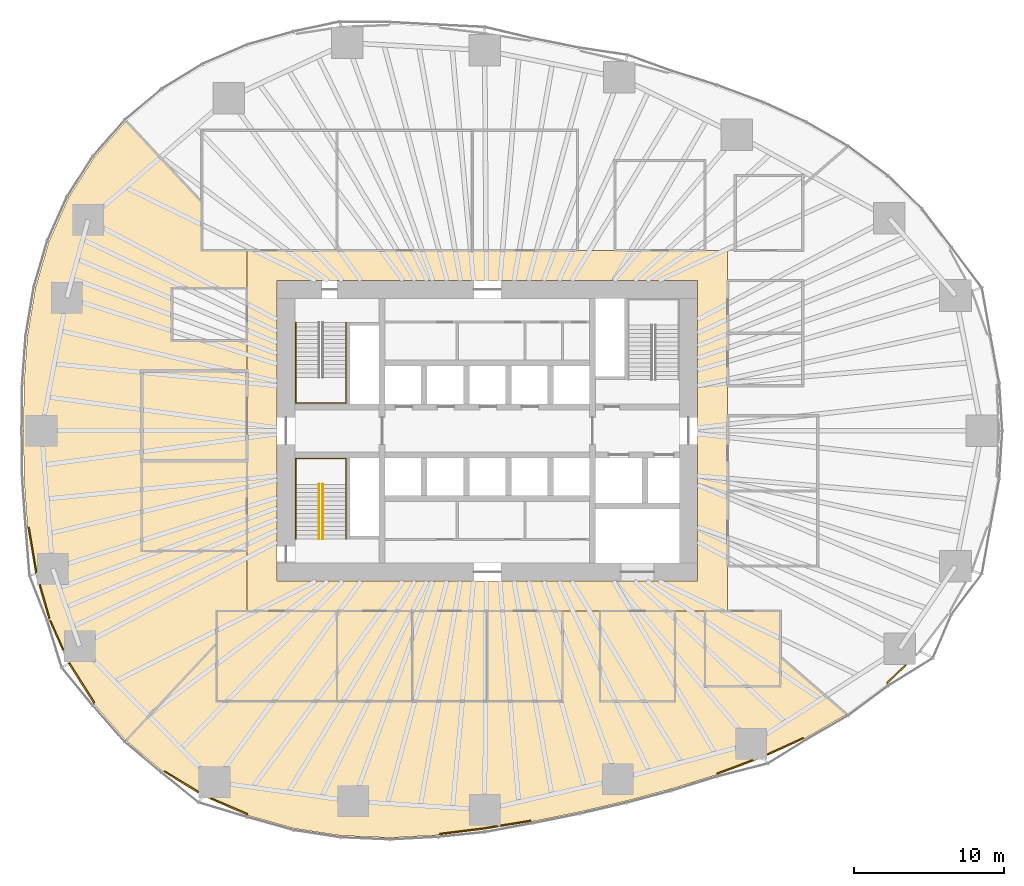
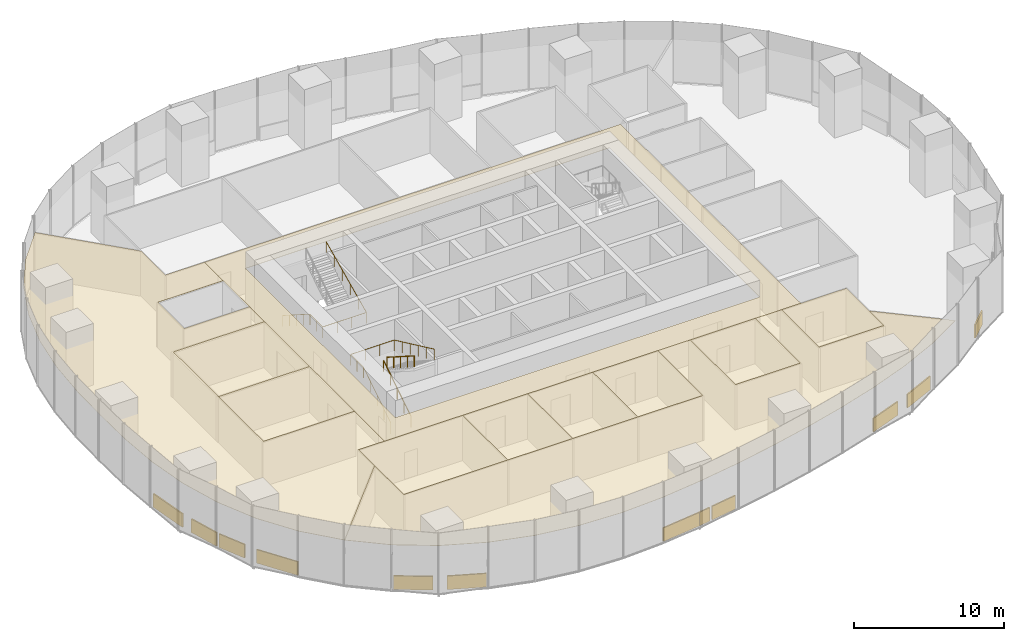
# One storey, part 17 of 20: 23 coverings, 4 railings.
"""IFC4 building model written with IfcOpenShell, lengths in metres."""

from ifc_helpers import new_model, si_unit, direction, frame, origin, origin_2d, place, context, subcontext, project, spatial, polyline, rectangle, circle, outline, extrude, material, layer, layer_set, type_object, element, save


model = new_model("IFC4")

# Units and contexts
model_context = context("Model", 3, precision=1e-05, world=origin(), true_north=direction((0.0, 1.0)))
body_context = subcontext(model_context, "Body", "Model", "MODEL_VIEW")
ifc_project = project(units=[si_unit("LENGTHUNIT", "METRE"), si_unit("AREAUNIT", "SQUARE_METRE"), si_unit("VOLUMEUNIT", "CUBIC_METRE"), si_unit("PLANEANGLEUNIT", "RADIAN"), si_unit("MASSUNIT", "GRAM", prefix="KILO")], contexts=[model_context])

# Site, building, storey
site_placement = place(None, origin())
site = spatial("IfcSite", under=ifc_project, at=site_placement, CompositionType="ELEMENT")
building_placement = place(site_placement, origin())
building = spatial("IfcBuilding", under=site, at=building_placement, Name="Ghaith Harvest Tower", CompositionType="ELEMENT")
storey_placement = place(building_placement, frame((0.0, 0.0, 25.0)))
storey = spatial("IfcBuildingStorey", under=building, at=storey_placement, Name="L05", CompositionType="ELEMENT", Elevation=25.0)

# Coverings
ifc_material_1 = material(Name="Mineral fibre ceiling tile", Category="gypsum")
ifc_layer_1 = layer(ifc_material_1, 0.02490234375)
ifc_layer_set_1 = layer_set([ifc_layer_1], Name="CEILING C2")
covering_type_1 = type_object("IfcCoveringType", Name="CEILING C2", PredefinedType="CEILING", material=ifc_layer_set_1)
covering_1_placement = place(storey_placement, frame((0.0, 0.0, 3.60009765625)))
element("IfcCovering", 1, at=covering_1_placement, inside=storey, type_object=covering_type_1, Name="Ceiling L05-05", PredefinedType="CEILING", context=body_context, shape_type="SweptSolid", body=[
    extrude(outline(polyline([(-18.0, -18.0), (-10.0, -18.0), (-10.0, -12.0), (-18.0, -12.0), (-18.0, -18.0)])), origin(), (0.0, 0.0, 1.0), 0.02490234375),
])
covering_2_placement = place(storey_placement, frame((0.0, 0.0, 3.60009765625)))
element("IfcCovering", 2, at=covering_2_placement, inside=storey, type_object=covering_type_1, Name="Ceiling L05-06", PredefinedType="CEILING", context=body_context, shape_type="SweptSolid", body=[
    extrude(outline(polyline([(-10.0, -18.0), (-5.0, -18.0), (-5.0, -12.0), (-10.0, -12.0), (-10.0, -18.0)])), origin(), (0.0, 0.0, 1.0), 0.02490234375),
])
covering_3_placement = place(storey_placement, frame((0.0, 0.0, 3.60009765625)))
element("IfcCovering", 3, at=covering_3_placement, inside=storey, type_object=covering_type_1, Name="Ceiling L05-07", PredefinedType="CEILING", context=body_context, shape_type="SweptSolid", body=[
    extrude(outline(polyline([(-5.0, -18.0), (0.0, -18.0), (0.0, -12.0), (-5.0, -12.0), (-5.0, -18.0)])), origin(), (0.0, 0.0, 1.0), 0.02490234375),
])
covering_4_placement = place(storey_placement, frame((0.0, 0.0, 3.60009765625)))
element("IfcCovering", 4, at=covering_4_placement, inside=storey, type_object=covering_type_1, Name="Ceiling L05-08", PredefinedType="CEILING", context=body_context, shape_type="SweptSolid", body=[
    extrude(outline(polyline([(0.0, -18.0), (5.0, -18.0), (5.0, -12.0), (0.0, -12.0), (0.0, -18.0)])), origin(), (0.0, 0.0, 1.0), 0.02490234375),
])
covering_5_placement = place(storey_placement, frame((0.0, 0.0, 3.60009765625)))
element("IfcCovering", 5, at=covering_5_placement, inside=storey, type_object=covering_type_1, Name="Ceiling L05-09", PredefinedType="CEILING", context=body_context, shape_type="SweptSolid", body=[
    extrude(outline(polyline([(7.5, -18.0), (12.5, -18.0), (12.5, -12.0), (7.5, -12.0), (7.5, -18.0)])), origin(), (0.0, 0.0, 1.0), 0.02490234375),
])
covering_6_placement = place(storey_placement, frame((0.0, 0.0, 3.60009765625)))
element("IfcCovering", 6, at=covering_6_placement, inside=storey, type_object=covering_type_1, Name="Ceiling L05-12", PredefinedType="CEILING", context=body_context, shape_type="SweptSolid", body=[
    extrude(outline(polyline([(-23.0, -8.0), (-16.0, -8.0), (-16.0, -2.0), (-23.0, -2.0), (-23.0, -8.0)])), origin(), (0.0, 0.0, 1.0), 0.02490234375),
])
covering_7_placement = place(storey_placement, frame((0.0, 0.0, 3.60009765625)))
element("IfcCovering", 7, at=covering_7_placement, inside=storey, type_object=covering_type_1, Name="Ceiling L05-13", PredefinedType="CEILING", context=body_context, shape_type="SweptSolid", body=[
    extrude(outline(polyline([(-23.0, -2.0), (-16.0, -2.0), (-16.0, 4.0), (-23.0, 4.0), (-23.0, -2.0)])), origin(), (0.0, 0.0, 1.0), 0.02490234375),
])
covering_8_placement = place(storey_placement, frame((0.0, 0.0, 3.60009765625)))
element("IfcCovering", 8, at=covering_8_placement, inside=storey, type_object=covering_type_1, Name="Ceiling L05-15", PredefinedType="CEILING", context=body_context, shape_type="SweptSolid", body=[
    extrude(outline(polyline([(14.5, -17.0), (19.5, -17.0), (19.5, -12.0), (14.5, -12.0), (14.5, -17.0)])), origin(), (0.0, 0.0, 1.0), 0.02490234375),
])
covering_9_placement = place(storey_placement, frame((0.0, 0.0, 3.60009765625)))
element("IfcCovering", 9, at=covering_9_placement, inside=storey, type_object=covering_type_1, Name="Ceiling L05-C1", PredefinedType="CEILING", context=body_context, shape_type="SweptSolid", body=[
    extrude(outline(polyline([(-16.0, 12.0), (16.0, 12.0), (16.0, -12.0), (-16.0, -12.0), (-16.0, 12.0)]), holes=[polyline([(14.0, -10.0), (14.0, 10.0), (-14.0, 10.0), (-14.0, -10.0), (14.0, -10.0)])]), origin(), (0.0, 0.0, 1.0), 0.02490234375),
])
covering_10_placement = place(storey_placement, frame((0.0, 0.0, 3.60009765625)))
element("IfcCovering", 10, at=covering_10_placement, inside=storey, type_object=covering_type_1, Name="Ceiling L05-S1", PredefinedType="CEILING", context=body_context, shape_type="SweptSolid", body=[
    extrude(outline(polyline([(-18.8935546875, -24.32763671875), (-21.59912109375, -22.671142578125), (-24.04833984375, -20.618408203125), (-18.0, -14.1416015625), (-18.0, -18.0), (5.0, -18.0), (5.0, -12.0), (7.5, -12.0), (7.5, -18.0), (12.5, -18.0), (12.5, -12.0), (14.5, -12.0), (14.5, -17.0), (19.5, -17.0), (19.5, -15.03564453125), (23.92431640625, -18.873046875), (21.149169921875, -20.469482421875), (18.34521484375, -21.7548828125), (15.22119140625, -22.916259765625), (12.1796875, -23.857666015625), (9.21533203125, -24.65087890625), (6.10888671875, -25.378662109375), (2.99560546875, -26.004150390625), (-0.181396484375, -26.527099609375), (-3.24755859375, -26.91064453125), (-6.4375, -27.0849609375), (-9.733642578125, -26.949951171875), (-12.828125, -26.476806640625), (-15.907958984375, -25.614501953125), (-18.8935546875, -24.32763671875)])), origin(), (0.0, 0.0, 1.0), 0.02490234375),
])
covering_11_placement = place(storey_placement, frame((0.0, 0.0, 3.60009765625)))
element("IfcCovering", 11, at=covering_11_placement, inside=storey, type_object=covering_type_1, Name="Ceiling L05-W1", PredefinedType="CEILING", context=body_context, shape_type="SweptSolid", body=[
    extrude(outline(polyline([(-26.16455078125, -18.20556640625), (-27.881591796875, -15.507080078125), (-29.182373046875, -12.587890625), (-30.073974609375, -9.531005859375), (-30.606689453125, -6.35107421875), (-30.837158203125, -3.165771484375), (-30.875, 0.0), (-30.837158203125, 3.165771484375), (-30.606689453125, 6.35107421875), (-30.073974609375, 9.531005859375), (-29.182373046875, 12.587890625), (-27.881591796875, 15.507080078125), (-26.16455078125, 18.20556640625), (-24.04833984375, 20.618408203125), (-19.0, 15.21240234375), (-19.0, 12.0), (-16.0, 12.0), (-16.0, 9.5), (-21.0, 9.5), (-21.0, 6.0), (-16.0, 6.0), (-16.0, 4.0), (-23.0, 4.0), (-23.0, -8.0), (-16.0, -8.0), (-16.0, -12.0), (-18.0, -12.0), (-18.0, -14.1416015625), (-24.04833984375, -20.618408203125), (-26.16455078125, -18.20556640625)])), origin(), (0.0, 0.0, 1.0), 0.02490234375),
])

# Railings
ifc_material_2 = material(Name="Steel, black powder-coated", Category="steel")
railing_type = type_object("IfcRailingType", Name="HANDRAIL HR1", PredefinedType="HANDRAIL", material=ifc_material_2)
railing_1_placement = place(storey_placement, frame((-12.75, 7.199951171875, 0.178466796875)))
element("IfcRailing", 12, at=railing_1_placement, inside=storey, type_object=railing_type, Name="Handrail HR1 stair ST1 L05 wall side", PredefinedType="HANDRAIL", context=body_context, shape_type="SweptSolid", body=[
    extrude(circle(Radius=0.02392578125, at=origin_2d()), frame((0.0, 0.0, 0.8759765625), z_axis=(0.0, -0.843111507901, 0.53773877045), x_axis=(1.0, 0.0, 0.0)), (0.0, 0.0, 1.0), 4.317138671875),
    extrude(circle(Radius=0.02392578125, at=origin_2d()), frame((0.0, -3.639892578125, 3.197265625), z_axis=(0.0, -1.0, 0.0), x_axis=(1.0, 0.0, 0.0)), (0.0, 0.0, 1.0), 1.7099609375),
    extrude(circle(Radius=0.02392578125, at=origin_2d()), frame((0.0, -5.349853515625, 3.197265625), z_axis=(1.0, 0.0, 0.0), x_axis=(0.0, 1.0, 0.0)), (0.0, 0.0, 1.0), 3.35009765625),
    extrude(circle(Radius=0.02392578125, at=origin_2d()), frame((3.35009765625, -5.349853515625, 3.197265625), z_axis=(0.0, 0.905962265858, 0.423358444868), x_axis=(-1.0, 0.0, 0.0)), (0.0, 0.0, 1.0), 5.9052734375),
    extrude(circle(Radius=0.02099609375, at=origin_2d()), origin(), (0.0, 0.0, 1.0), 0.851806640625),
    extrude(circle(Radius=0.02099609375, at=origin_2d()), frame((0.0, -0.909912109375, 0.580322265625)), (0.0, 0.0, 1.0), 0.851806640625),
    extrude(circle(Radius=0.02099609375, at=origin_2d()), frame((0.0, -1.81982421875, 1.16064453125)), (0.0, 0.0, 1.0), 0.851806640625),
    extrude(circle(Radius=0.02099609375, at=origin_2d()), frame((0.0, -2.72998046875, 1.7412109375)), (0.0, 0.0, 1.0), 0.851806640625),
    extrude(circle(Radius=0.02099609375, at=origin_2d()), frame((0.0, -3.639892578125, 2.321533203125)), (0.0, 0.0, 1.0), 0.851806640625),
    extrude(circle(Radius=0.02099609375, at=origin_2d()), frame((0.0, -4.494873046875, 2.321533203125)), (0.0, 0.0, 1.0), 0.851806640625),
    extrude(circle(Radius=0.02099609375, at=origin_2d()), frame((0.0, -5.349853515625, 2.321533203125)), (0.0, 0.0, 1.0), 0.851806640625),
    extrude(circle(Radius=0.02099609375, at=origin_2d()), frame((1.11669921875, -5.349853515625, 2.321533203125)), (0.0, 0.0, 1.0), 0.851806640625),
    extrude(circle(Radius=0.02099609375, at=origin_2d()), frame((2.2333984375, -5.349853515625, 2.321533203125)), (0.0, 0.0, 1.0), 0.851806640625),
    extrude(circle(Radius=0.02099609375, at=origin_2d()), frame((3.35009765625, -5.349853515625, 2.321533203125)), (0.0, 0.0, 1.0), 0.851806640625),
    extrude(circle(Radius=0.02099609375, at=origin_2d()), frame((3.35009765625, -4.27978515625, 2.821533203125)), (0.0, 0.0, 1.0), 0.851806640625),
    extrude(circle(Radius=0.02099609375, at=origin_2d()), frame((3.35009765625, -3.2099609375, 3.321533203125)), (0.0, 0.0, 1.0), 0.851806640625),
    extrude(circle(Radius=0.02099609375, at=origin_2d()), frame((3.35009765625, -2.139892578125, 3.821533203125)), (0.0, 0.0, 1.0), 0.851806640625),
    extrude(circle(Radius=0.02099609375, at=origin_2d()), frame((3.35009765625, -1.070068359375, 4.321533203125)), (0.0, 0.0, 1.0), 0.851806640625),
    extrude(circle(Radius=0.02099609375, at=origin_2d()), frame((3.35009765625, 0.0, 4.821533203125)), (0.0, 0.0, 1.0), 0.851806640625),
])
railing_2_placement = place(storey_placement, frame((-11.199951171875, -7.199951171875, 0.178466796875)))
element("IfcRailing", 13, at=railing_2_placement, inside=storey, type_object=railing_type, Name="Handrail HR1 stair ST3 L05 flight 1 inner", PredefinedType="HANDRAIL", context=body_context, shape_type="SweptSolid", body=[
    extrude(circle(Radius=0.02392578125, at=origin_2d()), frame((0.0, 0.0, 0.8759765625), z_axis=(0.0, 0.843111507901, 0.53773877045), x_axis=(-1.0, 0.0, 0.0)), (0.0, 0.0, 1.0), 4.317138671875),
    extrude(circle(Radius=0.02099609375, at=origin_2d()), origin(), (0.0, 0.0, 1.0), 0.851806640625),
    extrude(circle(Radius=0.02099609375, at=origin_2d()), frame((0.0, 0.909912109375, 0.580322265625)), (0.0, 0.0, 1.0), 0.851806640625),
    extrude(circle(Radius=0.02099609375, at=origin_2d()), frame((0.0, 1.81982421875, 1.16064453125)), (0.0, 0.0, 1.0), 0.851806640625),
    extrude(circle(Radius=0.02099609375, at=origin_2d()), frame((0.0, 2.72998046875, 1.7412109375)), (0.0, 0.0, 1.0), 0.851806640625),
    extrude(circle(Radius=0.02099609375, at=origin_2d()), frame((0.0, 3.639892578125, 2.321533203125)), (0.0, 0.0, 1.0), 0.851806640625),
])
railing_3_placement = place(storey_placement, frame((-10.949951171875, -3.56005859375, 2.678466796875)))
element("IfcRailing", 14, at=railing_3_placement, inside=storey, type_object=railing_type, Name="Handrail HR1 stair ST3 L05 flight 2 inner", PredefinedType="HANDRAIL", context=body_context, shape_type="SweptSolid", body=[
    extrude(circle(Radius=0.02392578125, at=origin_2d()), frame((0.0, 0.0, 0.8759765625), z_axis=(0.0, -0.843111507901, 0.53773877045), x_axis=(1.0, 0.0, 0.0)), (0.0, 0.0, 1.0), 4.317138671875),
    extrude(circle(Radius=0.02099609375, at=origin_2d()), origin(), (0.0, 0.0, 1.0), 0.851806640625),
    extrude(circle(Radius=0.02099609375, at=origin_2d()), frame((0.0, -0.909912109375, 0.580322265625)), (0.0, 0.0, 1.0), 0.851806640625),
    extrude(circle(Radius=0.02099609375, at=origin_2d()), frame((0.0, -1.81982421875, 1.16064453125)), (0.0, 0.0, 1.0), 0.851806640625),
    extrude(circle(Radius=0.02099609375, at=origin_2d()), frame((0.0, -2.72998046875, 1.7412109375)), (0.0, 0.0, 1.0), 0.851806640625),
    extrude(circle(Radius=0.02099609375, at=origin_2d()), frame((0.0, -3.639892578125, 2.321533203125)), (0.0, 0.0, 1.0), 0.851806640625),
])
railing_4_placement = place(storey_placement, frame((-12.75, -7.199951171875, 0.178466796875)))
element("IfcRailing", 15, at=railing_4_placement, inside=storey, type_object=railing_type, Name="Handrail HR1 stair ST3 L05 wall side", PredefinedType="HANDRAIL", context=body_context, shape_type="SweptSolid", body=[
    extrude(circle(Radius=0.02392578125, at=origin_2d()), frame((0.0, 0.0, 0.8759765625), z_axis=(0.0, 0.843111507901, 0.53773877045), x_axis=(-1.0, 0.0, 0.0)), (0.0, 0.0, 1.0), 4.317138671875),
    extrude(circle(Radius=0.02392578125, at=origin_2d()), frame((0.0, 3.639892578125, 3.197265625), z_axis=(0.0, 1.0, 0.0), x_axis=(-1.0, 0.0, 0.0)), (0.0, 0.0, 1.0), 1.7099609375),
    extrude(circle(Radius=0.02392578125, at=origin_2d()), frame((0.0, 5.349853515625, 3.197265625), z_axis=(1.0, 0.0, 0.0), x_axis=(0.0, 1.0, 0.0)), (0.0, 0.0, 1.0), 3.35009765625),
    extrude(circle(Radius=0.02392578125, at=origin_2d()), frame((3.35009765625, 5.349853515625, 3.197265625), z_axis=(0.0, -0.905962265858, 0.423358444868), x_axis=(1.0, 0.0, 0.0)), (0.0, 0.0, 1.0), 5.9052734375),
    extrude(circle(Radius=0.02099609375, at=origin_2d()), origin(), (0.0, 0.0, 1.0), 0.851806640625),
    extrude(circle(Radius=0.02099609375, at=origin_2d()), frame((0.0, 0.909912109375, 0.580322265625)), (0.0, 0.0, 1.0), 0.851806640625),
    extrude(circle(Radius=0.02099609375, at=origin_2d()), frame((0.0, 1.81982421875, 1.16064453125)), (0.0, 0.0, 1.0), 0.851806640625),
    extrude(circle(Radius=0.02099609375, at=origin_2d()), frame((0.0, 2.72998046875, 1.7412109375)), (0.0, 0.0, 1.0), 0.851806640625),
    extrude(circle(Radius=0.02099609375, at=origin_2d()), frame((0.0, 3.639892578125, 2.321533203125)), (0.0, 0.0, 1.0), 0.851806640625),
    extrude(circle(Radius=0.02099609375, at=origin_2d()), frame((0.0, 4.494873046875, 2.321533203125)), (0.0, 0.0, 1.0), 0.851806640625),
    extrude(circle(Radius=0.02099609375, at=origin_2d()), frame((0.0, 5.349853515625, 2.321533203125)), (0.0, 0.0, 1.0), 0.851806640625),
    extrude(circle(Radius=0.02099609375, at=origin_2d()), frame((1.11669921875, 5.349853515625, 2.321533203125)), (0.0, 0.0, 1.0), 0.851806640625),
    extrude(circle(Radius=0.02099609375, at=origin_2d()), frame((2.2333984375, 5.349853515625, 2.321533203125)), (0.0, 0.0, 1.0), 0.851806640625),
    extrude(circle(Radius=0.02099609375, at=origin_2d()), frame((3.35009765625, 5.349853515625, 2.321533203125)), (0.0, 0.0, 1.0), 0.851806640625),
    extrude(circle(Radius=0.02099609375, at=origin_2d()), frame((3.35009765625, 4.27978515625, 2.821533203125)), (0.0, 0.0, 1.0), 0.851806640625),
    extrude(circle(Radius=0.02099609375, at=origin_2d()), frame((3.35009765625, 3.2099609375, 3.321533203125)), (0.0, 0.0, 1.0), 0.851806640625),
    extrude(circle(Radius=0.02099609375, at=origin_2d()), frame((3.35009765625, 2.139892578125, 3.821533203125)), (0.0, 0.0, 1.0), 0.851806640625),
    extrude(circle(Radius=0.02099609375, at=origin_2d()), frame((3.35009765625, 1.070068359375, 4.321533203125)), (0.0, 0.0, 1.0), 0.851806640625),
    extrude(circle(Radius=0.02099609375, at=origin_2d()), frame((3.35009765625, 0.0, 4.821533203125)), (0.0, 0.0, 1.0), 0.851806640625),
])

# Coverings
ifc_material_3 = material(Name="Insulated aluminium spandrel panel on steel framing", Category="steel")
ifc_layer_2 = layer(ifc_material_3, 0.10009765625)
ifc_layer_set_2 = layer_set([ifc_layer_2], Name="SLAB EDGE UPSTAND 1100x100")
covering_type_2 = type_object("IfcCoveringType", Name="SLAB EDGE UPSTAND 1100x100", PredefinedType="CLADDING", material=ifc_layer_set_2)
covering_12_placement = place(storey_placement, frame((-30.2900390625, -7.9384765625, 0.0), z_axis=(0.0, 0.0, 1.0), x_axis=(0.165246181786, -0.986252350773, 0.0)))
element("IfcCovering", 16, at=covering_12_placement, inside=storey, type_object=covering_type_2, Name="Slab edge upstand 3 bay 11 L05", PredefinedType="CLADDING", context=body_context, shape_type="SweptSolid", body=[
    extrude(rectangle(XDim=3.03564453125, YDim=0.10009765625, at=origin_2d()), origin(), (0.0, 0.0, 1.0), 1.10009765625),
])
covering_13_placement = place(storey_placement, frame((-29.48828125, -11.35986328125, 0.0), z_axis=(0.0, 0.0, 1.0), x_axis=(0.280032411303, -0.95999054611, 0.0)))
element("IfcCovering", 17, at=covering_13_placement, inside=storey, type_object=covering_type_2, Name="Slab edge upstand 1 bay 12 L05", PredefinedType="CLADDING", context=body_context, shape_type="SweptSolid", body=[
    extrude(rectangle(XDim=2.3291015625, YDim=0.10009765625, at=origin_2d()), origin(), (0.0, 0.0, 1.0), 1.10009765625),
])
covering_14_placement = place(storey_placement, frame((-28.666748046875, -13.621826171875, 0.0), z_axis=(0.0, 0.0, 1.0), x_axis=(0.407003427802, -0.913426630747, 0.0)))
element("IfcCovering", 18, at=covering_14_placement, inside=storey, type_object=covering_type_2, Name="Slab edge upstand 2 bay 12 L05", PredefinedType="CLADDING", context=body_context, shape_type="SweptSolid", body=[
    extrude(rectangle(XDim=2.108642578125, YDim=0.10009765625, at=origin_2d()), origin(), (0.0, 0.0, 1.0), 1.10009765625),
])
covering_15_placement = place(storey_placement, frame((-27.0078125, -16.787353515625, 0.0), z_axis=(0.0, 0.0, 1.0), x_axis=(0.536807372204, -0.843704832952, 0.0)))
element("IfcCovering", 19, at=covering_15_placement, inside=storey, type_object=covering_type_2, Name="Slab edge upstand 3 bay 12 L05", PredefinedType="CLADDING", context=body_context, shape_type="SweptSolid", body=[
    extrude(rectangle(XDim=3.098388671875, YDim=0.10009765625, at=origin_2d()), origin(), (0.0, 0.0, 1.0), 1.10009765625),
])
covering_16_placement = place(storey_placement, frame((-20.36572265625, -23.367431640625, 0.0), z_axis=(0.0, 0.0, 1.0), x_axis=(0.852846651269, -0.522161459148, 0.0)))
element("IfcCovering", 20, at=covering_16_placement, inside=storey, type_object=covering_type_2, Name="Slab edge upstand 3 bay 13 L05", PredefinedType="CLADDING", context=body_context, shape_type="SweptSolid", body=[
    extrude(rectangle(XDim=2.630615234375, YDim=0.10009765625, at=origin_2d()), origin(), (0.0, 0.0, 1.0), 1.10009765625),
])
covering_17_placement = place(storey_placement, frame((-17.18994140625, -25.007568359375, 0.0), z_axis=(0.0, 0.0, 1.0), x_axis=(0.918306928324, -0.395869151856, 0.0)))
element("IfcCovering", 21, at=covering_17_placement, inside=storey, type_object=covering_type_2, Name="Slab edge upstand 1 bay 14 L05", PredefinedType="CLADDING", context=body_context, shape_type="SweptSolid", body=[
    extrude(rectangle(XDim=2.63525390625, YDim=0.10009765625, at=origin_2d()), origin(), (0.0, 0.0, 1.0), 1.10009765625),
])
covering_18_placement = place(storey_placement, frame((-1.671142578125, -26.6630859375, 0.0), z_axis=(0.0, 0.0, 1.0), x_axis=(0.992264868881, 0.124138752952, 0.0)))
element("IfcCovering", 22, at=covering_18_placement, inside=storey, type_object=covering_type_2, Name="Slab edge upstand 3 bay 15 L05", PredefinedType="CLADDING", context=body_context, shape_type="SweptSolid", body=[
    extrude(rectangle(XDim=2.98974609375, YDim=0.10009765625, at=origin_2d()), origin(), (0.0, 0.0, 1.0), 1.10009765625),
])
covering_19_placement = place(storey_placement, frame((0.2490234375, -26.405517578125, 0.0), z_axis=(0.0, 0.0, 1.0), x_axis=(0.98671624755, 0.162453214254, 0.0)))
element("IfcCovering", 23, at=covering_19_placement, inside=storey, type_object=covering_type_2, Name="Slab edge upstand 1 bay 16 L05", PredefinedType="CLADDING", context=body_context, shape_type="SweptSolid", body=[
    extrude(rectangle(XDim=0.88916015625, YDim=0.10009765625, at=origin_2d()), origin(), (0.0, 0.0, 1.0), 1.10009765625),
])
covering_20_placement = place(storey_placement, frame((1.891845703125, -26.135009765625, 0.0), z_axis=(0.0, 0.0, 1.0), x_axis=(0.98671624755, 0.162453214254, 0.0)))
element("IfcCovering", 24, at=covering_20_placement, inside=storey, type_object=covering_type_2, Name="Slab edge upstand 1 bay 16 L05", PredefinedType="CLADDING", context=body_context, shape_type="SweptSolid", body=[
    extrude(rectangle(XDim=2.0205078125, YDim=0.10009765625, at=origin_2d()), origin(), (0.0, 0.0, 1.0), 1.10009765625),
])
covering_21_placement = place(storey_placement, frame((16.495361328125, -22.38916015625, 0.0), z_axis=(0.0, 0.0, 1.0), x_axis=(0.937331853701, 0.348437937139, 0.0)))
element("IfcCovering", 25, at=covering_21_placement, inside=storey, type_object=covering_type_2, Name="Slab edge upstand 3 bay 17 L05", PredefinedType="CLADDING", context=body_context, shape_type="SweptSolid", body=[
    extrude(rectangle(XDim=2.555908203125, YDim=0.10009765625, at=origin_2d()), origin(), (0.0, 0.0, 1.0), 1.10009765625),
])
covering_22_placement = place(storey_placement, frame((19.84521484375, -21.01220703125, 0.0), z_axis=(0.0, 0.0, 1.0), x_axis=(0.909046054499, 0.416695657284, 0.0)))
element("IfcCovering", 26, at=covering_22_placement, inside=storey, type_object=covering_type_2, Name="Slab edge upstand 1 bay 18 L05", PredefinedType="CLADDING", context=body_context, shape_type="SweptSolid", body=[
    extrude(rectangle(XDim=2.623291015625, YDim=0.10009765625, at=origin_2d()), origin(), (0.0, 0.0, 1.0), 1.10009765625),
])
covering_23_placement = place(storey_placement, frame((27.227783203125, -16.205078125, 0.0), z_axis=(0.0, 0.0, 1.0), x_axis=(0.717386427289, 0.69667547247, 0.0)))
element("IfcCovering", 27, at=covering_23_placement, inside=storey, type_object=covering_type_2, Name="Slab edge upstand 1 bay 19 L05", PredefinedType="CLADDING", context=body_context, shape_type="SweptSolid", body=[
    extrude(rectangle(XDim=1.723388671875, YDim=0.10009765625, at=origin_2d()), origin(), (0.0, 0.0, 1.0), 1.10009765625),
])

save(model, "model.ifc")
